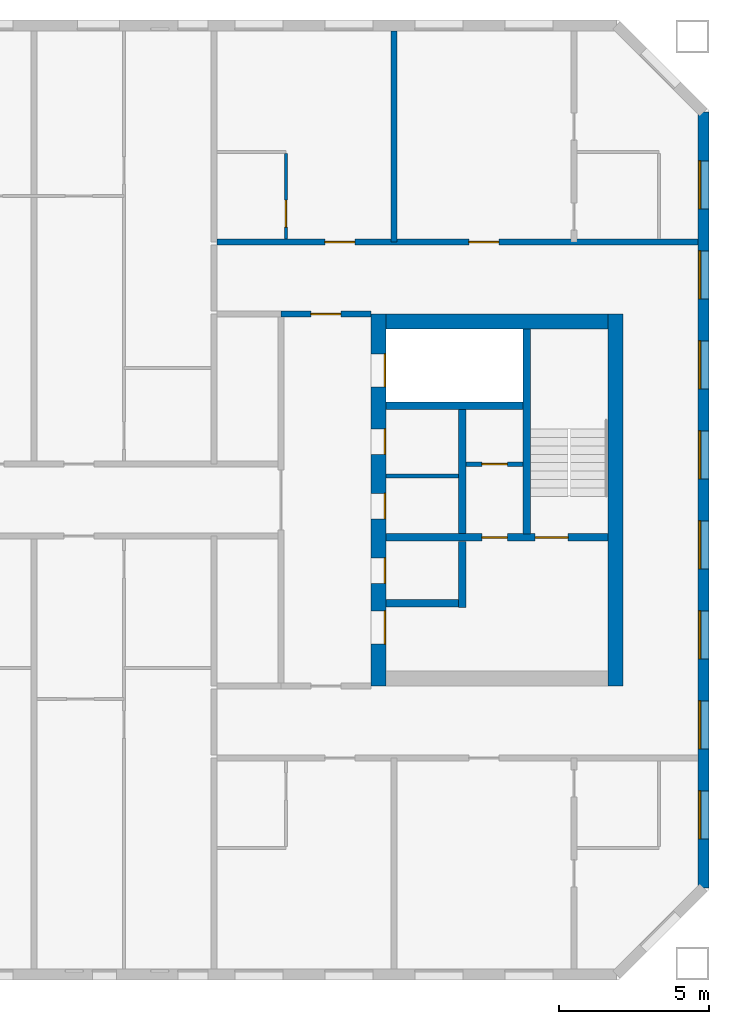
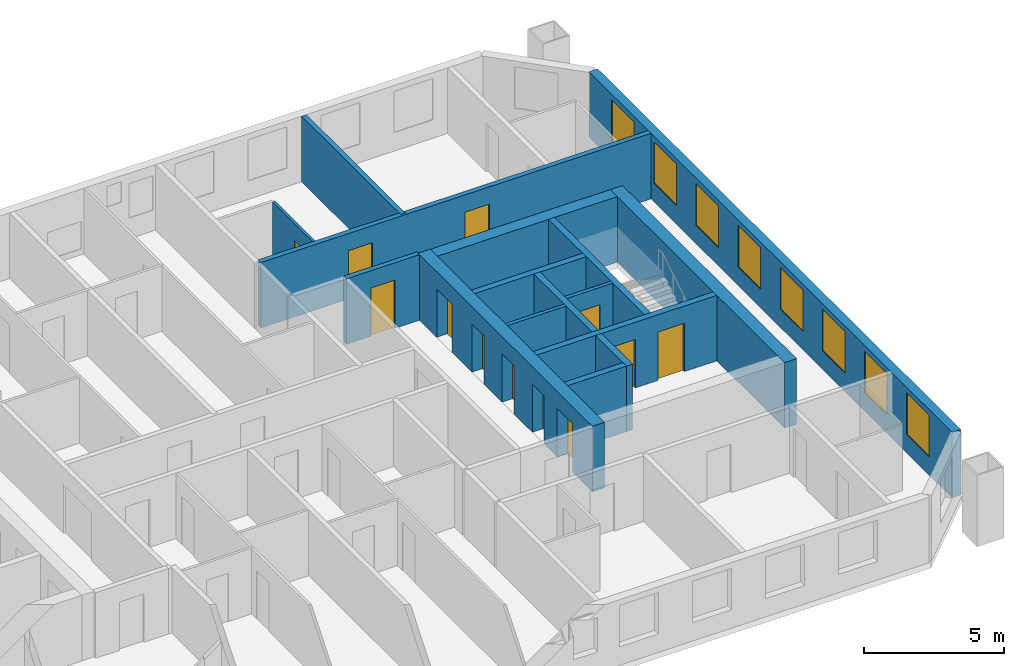
# One storey, part 12 of 15: 16 walls, 12 doors, 8 windows, 20 openings.
"""IFC4 building model written with IfcOpenShell, lengths in metres."""

from ifc_helpers import new_model, si_unit, direction, frame, frame_2d, origin, place, context, subcontext, project, spatial, rectangle, extrude, material, layer, layer_set, type_object, element, fill, save


model = new_model("IFC4")

# Units and contexts
model_context = context("Model", 3, precision=1e-05, world=origin(), true_north=direction((0.0, 1.0)))
body_context = subcontext(model_context, "Body", "Model", "MODEL_VIEW")
ifc_project = project(units=[si_unit("LENGTHUNIT", "METRE"), si_unit("AREAUNIT", "SQUARE_METRE"), si_unit("VOLUMEUNIT", "CUBIC_METRE"), si_unit("PLANEANGLEUNIT", "RADIAN"), si_unit("MASSUNIT", "GRAM", prefix="KILO")], contexts=[model_context])

# Site, building, storey
site_placement = place(None, origin())
site = spatial("IfcSite", under=ifc_project, at=site_placement, CompositionType="ELEMENT")
building_placement = place(site_placement, origin())
building = spatial("IfcBuilding", under=site, at=building_placement, Name="Tuart Gate Housing", CompositionType="ELEMENT")
storey_placement = place(building_placement, frame((0.0, 0.0, 164.0)))
storey = spatial("IfcBuildingStorey", under=building, at=storey_placement, Name="L46", CompositionType="ELEMENT", Elevation=164.0)

# Wall, openings, windows
ifc_material_1 = material(Name="Brick", Category="masonry")
ifc_layer_1 = layer(ifc_material_1, 0.360107421875)
ifc_layer_set_1 = layer_set([ifc_layer_1], Name="Brick pier and spandrel wall 360")
wall_type_1 = type_object("IfcWallType", Name="Brick pier and spandrel wall 360", PredefinedType="STANDARD", material=ifc_layer_set_1)
wall_1_placement = place(storey_placement, frame((171.320068359375, 57.07470703125, 0.0), z_axis=(0.0, 0.0, 1.0), x_axis=(0.0, 1.0, 0.0)))
wall_1 = element("IfcWall", 1, at=wall_1_placement, inside=storey, type_object=wall_type_1, Name="External wall B-E L46", PredefinedType="STANDARD", context=body_context, shape_type="SweptSolid", body=[
    extrude(rectangle(XDim=25.850830078125, YDim=0.360107421875, at=frame_2d((12.92529296875, 0.0))), origin(), (0.0, 0.0, 1.0), 2.85009765625),
])
opening_1_placement = place(wall_1_placement, frame((1.62548828125, 0.0, 0.800048828125)))
opening_1 = element("IfcOpeningElement", 2, at=opening_1_placement, cuts=wall_1, Name="Opening W1", PredefinedType="OPENING", context=body_context, shape_type="SweptSolid", body=[
    extrude(rectangle(XDim=1.60009765625, YDim=1.800048828125, at=frame_2d((0.800048828125, 0.89990234375))), frame((0.0, 0.18994140625, 0.0), z_axis=(0.0, -1.0, 0.0), x_axis=(1.0, 0.0, 0.0)), (0.0, 0.0, 1.0), 0.380126953125),
])
opening_2_placement = place(wall_1_placement, frame((4.62548828125, 0.0, 0.800048828125)))
opening_2 = element("IfcOpeningElement", 3, at=opening_2_placement, cuts=wall_1, Name="Opening W1", PredefinedType="OPENING", context=body_context, shape_type="SweptSolid", body=[
    extrude(rectangle(XDim=1.60009765625, YDim=1.800048828125, at=frame_2d((0.800048828125, 0.89990234375))), frame((0.0, 0.18994140625, 0.0), z_axis=(0.0, -1.0, 0.0), x_axis=(1.0, 0.0, 0.0)), (0.0, 0.0, 1.0), 0.380126953125),
])
opening_3_placement = place(wall_1_placement, frame((7.62548828125, 0.0, 0.800048828125)))
opening_3 = element("IfcOpeningElement", 4, at=opening_3_placement, cuts=wall_1, Name="Opening W1", PredefinedType="OPENING", context=body_context, shape_type="SweptSolid", body=[
    extrude(rectangle(XDim=1.60009765625, YDim=1.800048828125, at=frame_2d((0.800048828125, 0.89990234375))), frame((0.0, 0.18994140625, 0.0), z_axis=(0.0, -1.0, 0.0), x_axis=(1.0, 0.0, 0.0)), (0.0, 0.0, 1.0), 0.380126953125),
])
opening_4_placement = place(wall_1_placement, frame((10.62548828125, 0.0, 0.800048828125)))
opening_4 = element("IfcOpeningElement", 5, at=opening_4_placement, cuts=wall_1, Name="Opening W1", PredefinedType="OPENING", context=body_context, shape_type="SweptSolid", body=[
    extrude(rectangle(XDim=1.60009765625, YDim=1.800048828125, at=frame_2d((0.800048828125, 0.89990234375))), frame((0.0, 0.18994140625, 0.0), z_axis=(0.0, -1.0, 0.0), x_axis=(1.0, 0.0, 0.0)), (0.0, 0.0, 1.0), 0.380126953125),
])
opening_5_placement = place(wall_1_placement, frame((13.62548828125, 0.0, 0.800048828125)))
opening_5 = element("IfcOpeningElement", 6, at=opening_5_placement, cuts=wall_1, Name="Opening W1", PredefinedType="OPENING", context=body_context, shape_type="SweptSolid", body=[
    extrude(rectangle(XDim=1.60009765625, YDim=1.800048828125, at=frame_2d((0.800048828125, 0.89990234375))), frame((0.0, 0.18994140625, 0.0), z_axis=(0.0, -1.0, 0.0), x_axis=(1.0, 0.0, 0.0)), (0.0, 0.0, 1.0), 0.380126953125),
])
opening_6_placement = place(wall_1_placement, frame((16.62548828125, 0.0, 0.800048828125)))
opening_6 = element("IfcOpeningElement", 7, at=opening_6_placement, cuts=wall_1, Name="Opening W1", PredefinedType="OPENING", context=body_context, shape_type="SweptSolid", body=[
    extrude(rectangle(XDim=1.60009765625, YDim=1.800048828125, at=frame_2d((0.800048828125, 0.89990234375))), frame((0.0, 0.18994140625, 0.0), z_axis=(0.0, -1.0, 0.0), x_axis=(1.0, 0.0, 0.0)), (0.0, 0.0, 1.0), 0.380126953125),
])
opening_7_placement = place(wall_1_placement, frame((19.62548828125, 0.0, 0.800048828125)))
opening_7 = element("IfcOpeningElement", 8, at=opening_7_placement, cuts=wall_1, Name="Opening W1", PredefinedType="OPENING", context=body_context, shape_type="SweptSolid", body=[
    extrude(rectangle(XDim=1.60009765625, YDim=1.800048828125, at=frame_2d((0.800048828125, 0.89990234375))), frame((0.0, 0.18994140625, 0.0), z_axis=(0.0, -1.0, 0.0), x_axis=(1.0, 0.0, 0.0)), (0.0, 0.0, 1.0), 0.380126953125),
])
opening_8_placement = place(wall_1_placement, frame((22.62548828125, 0.0, 0.800048828125)))
opening_8 = element("IfcOpeningElement", 9, at=opening_8_placement, cuts=wall_1, Name="Opening W1", PredefinedType="OPENING", context=body_context, shape_type="SweptSolid", body=[
    extrude(rectangle(XDim=1.60009765625, YDim=1.800048828125, at=frame_2d((0.800048828125, 0.89990234375))), frame((0.0, 0.18994140625, 0.0), z_axis=(0.0, -1.0, 0.0), x_axis=(1.0, 0.0, 0.0)), (0.0, 0.0, 1.0), 0.380126953125),
])
ifc_material_2 = material(Name="Aluminium frame with clear glass", Category="aluminium")
window_type = type_object("IfcWindowType", Name="Punched window 1600 x 1800", PartitioningType="SINGLE_PANEL", PredefinedType="WINDOW", material=ifc_material_2)
window_1_placement = place(opening_1_placement, origin())
window_1 = element("IfcWindow", 10, at=window_1_placement, inside=storey, type_object=window_type, Name="Window W1", OverallHeight=1.800048828125, OverallWidth=1.60009765625, PartitioningType="SINGLE_PANEL", PredefinedType="WINDOW", context=body_context, shape_type="SweptSolid", body=[
    extrude(rectangle(XDim=1.60009765625, YDim=1.800048828125, at=frame_2d((0.800048828125, 0.89990234375))), frame((0.0, 0.150146484375, 0.0), z_axis=(0.0, -1.0, 0.0), x_axis=(1.0, 0.0, 0.0)), (0.0, 0.0, 1.0), 0.06005859375),
])
fill(opening_1, window_1)
window_2_placement = place(opening_2_placement, origin())
window_2 = element("IfcWindow", 11, at=window_2_placement, inside=storey, type_object=window_type, Name="Window W1", OverallHeight=1.800048828125, OverallWidth=1.60009765625, PartitioningType="SINGLE_PANEL", PredefinedType="WINDOW", context=body_context, shape_type="SweptSolid", body=[
    extrude(rectangle(XDim=1.60009765625, YDim=1.800048828125, at=frame_2d((0.800048828125, 0.89990234375))), frame((0.0, 0.150146484375, 0.0), z_axis=(0.0, -1.0, 0.0), x_axis=(1.0, 0.0, 0.0)), (0.0, 0.0, 1.0), 0.06005859375),
])
fill(opening_2, window_2)
window_3_placement = place(opening_3_placement, origin())
window_3 = element("IfcWindow", 12, at=window_3_placement, inside=storey, type_object=window_type, Name="Window W1", OverallHeight=1.800048828125, OverallWidth=1.60009765625, PartitioningType="SINGLE_PANEL", PredefinedType="WINDOW", context=body_context, shape_type="SweptSolid", body=[
    extrude(rectangle(XDim=1.60009765625, YDim=1.800048828125, at=frame_2d((0.800048828125, 0.89990234375))), frame((0.0, 0.150146484375, 0.0), z_axis=(0.0, -1.0, 0.0), x_axis=(1.0, 0.0, 0.0)), (0.0, 0.0, 1.0), 0.06005859375),
])
fill(opening_3, window_3)
window_4_placement = place(opening_4_placement, origin())
window_4 = element("IfcWindow", 13, at=window_4_placement, inside=storey, type_object=window_type, Name="Window W1", OverallHeight=1.800048828125, OverallWidth=1.60009765625, PartitioningType="SINGLE_PANEL", PredefinedType="WINDOW", context=body_context, shape_type="SweptSolid", body=[
    extrude(rectangle(XDim=1.60009765625, YDim=1.800048828125, at=frame_2d((0.800048828125, 0.89990234375))), frame((0.0, 0.150146484375, 0.0), z_axis=(0.0, -1.0, 0.0), x_axis=(1.0, 0.0, 0.0)), (0.0, 0.0, 1.0), 0.06005859375),
])
fill(opening_4, window_4)
window_5_placement = place(opening_5_placement, origin())
window_5 = element("IfcWindow", 14, at=window_5_placement, inside=storey, type_object=window_type, Name="Window W1", OverallHeight=1.800048828125, OverallWidth=1.60009765625, PartitioningType="SINGLE_PANEL", PredefinedType="WINDOW", context=body_context, shape_type="SweptSolid", body=[
    extrude(rectangle(XDim=1.60009765625, YDim=1.800048828125, at=frame_2d((0.800048828125, 0.89990234375))), frame((0.0, 0.150146484375, 0.0), z_axis=(0.0, -1.0, 0.0), x_axis=(1.0, 0.0, 0.0)), (0.0, 0.0, 1.0), 0.06005859375),
])
fill(opening_5, window_5)
window_6_placement = place(opening_6_placement, origin())
window_6 = element("IfcWindow", 15, at=window_6_placement, inside=storey, type_object=window_type, Name="Window W1", OverallHeight=1.800048828125, OverallWidth=1.60009765625, PartitioningType="SINGLE_PANEL", PredefinedType="WINDOW", context=body_context, shape_type="SweptSolid", body=[
    extrude(rectangle(XDim=1.60009765625, YDim=1.800048828125, at=frame_2d((0.800048828125, 0.89990234375))), frame((0.0, 0.150146484375, 0.0), z_axis=(0.0, -1.0, 0.0), x_axis=(1.0, 0.0, 0.0)), (0.0, 0.0, 1.0), 0.06005859375),
])
fill(opening_6, window_6)
window_7_placement = place(opening_7_placement, origin())
window_7 = element("IfcWindow", 16, at=window_7_placement, inside=storey, type_object=window_type, Name="Window W1", OverallHeight=1.800048828125, OverallWidth=1.60009765625, PartitioningType="SINGLE_PANEL", PredefinedType="WINDOW", context=body_context, shape_type="SweptSolid", body=[
    extrude(rectangle(XDim=1.60009765625, YDim=1.800048828125, at=frame_2d((0.800048828125, 0.89990234375))), frame((0.0, 0.150146484375, 0.0), z_axis=(0.0, -1.0, 0.0), x_axis=(1.0, 0.0, 0.0)), (0.0, 0.0, 1.0), 0.06005859375),
])
fill(opening_7, window_7)
window_8_placement = place(opening_8_placement, origin())
window_8 = element("IfcWindow", 17, at=window_8_placement, inside=storey, type_object=window_type, Name="Window W1", OverallHeight=1.800048828125, OverallWidth=1.60009765625, PartitioningType="SINGLE_PANEL", PredefinedType="WINDOW", context=body_context, shape_type="SweptSolid", body=[
    extrude(rectangle(XDim=1.60009765625, YDim=1.800048828125, at=frame_2d((0.800048828125, 0.89990234375))), frame((0.0, 0.150146484375, 0.0), z_axis=(0.0, -1.0, 0.0), x_axis=(1.0, 0.0, 0.0)), (0.0, 0.0, 1.0), 0.06005859375),
])
fill(opening_8, window_8)

# Wall, opening, door
ifc_material_3 = material(Name="Plasterboard partition")
ifc_layer_2 = layer(ifc_material_3, 0.14990234375)
ifc_layer_set_2 = layer_set([ifc_layer_2], Name="Core partition 150")
wall_type_2 = type_object("IfcWallType", Name="Core partition 150", PredefinedType="PARTITIONING", material=ifc_layer_set_2)
wall_2_placement = place(storey_placement, frame((163.4150390625, 71.199951171875, 0.0), z_axis=(0.0, 0.0, 1.0), x_axis=(1.0, 0.0, 0.0)))
wall_2 = element("IfcWall", 18, at=wall_2_placement, inside=storey, type_object=wall_type_2, Name="Core partition BK.2", PredefinedType="PARTITIONING", context=body_context, shape_type="SweptSolid", body=[
    extrude(rectangle(XDim=1.89990234375, YDim=0.14990234375, at=frame_2d((0.949951171875, 0.0))), origin(), (0.0, 0.0, 1.0), 2.85009765625),
])
opening_9_placement = place(wall_2_placement, frame((0.52490234375, 0.0, 0.0)))
opening_9 = element("IfcOpeningElement", 19, at=opening_9_placement, cuts=wall_2, Name="Opening D1703", PredefinedType="OPENING", context=body_context, shape_type="SweptSolid", body=[
    extrude(rectangle(XDim=0.85009765625, YDim=2.10009765625, at=frame_2d((0.425048828125, 1.050048828125))), frame((0.0, 0.0849609375, 0.0), z_axis=(0.0, -1.0, 0.0), x_axis=(1.0, 0.0, 0.0)), (0.0, 0.0, 1.0), 0.169921875),
])
ifc_material_4 = material(Name="Steel fire door", Category="steel")
door_type_1 = type_object("IfcDoorType", Name="Service door 850 x 2100 RH", OperationType="SINGLE_SWING_RIGHT", PredefinedType="DOOR", material=ifc_material_4)
door_1_placement = place(opening_9_placement, frame((0.85009765625, 0.0, 0.0), z_axis=(0.0, 0.0, 1.0), x_axis=(-1.0, 0.0, 0.0)))
door_1 = element("IfcDoor", 20, at=door_1_placement, inside=storey, type_object=door_type_1, Name="Service room door BK.W2", OperationType="SINGLE_SWING_RIGHT", OverallHeight=2.10009765625, OverallWidth=0.85009765625, PredefinedType="DOOR", context=body_context, shape_type="SweptSolid", body=[
    extrude(rectangle(XDim=0.85009765625, YDim=2.10009765625, at=frame_2d((0.425048828125, 1.050048828125))), frame((0.0, 0.025146484375, 0.0), z_axis=(0.0, -1.0, 0.0), x_axis=(1.0, 0.0, 0.0)), (0.0, 0.0, 1.0), 0.050048828125),
])
fill(opening_9, door_1)

# Walls
wall_3_placement = place(storey_placement, frame((160.739990234375, 70.800048828125, 0.0), z_axis=(0.0, 0.0, 1.0), x_axis=(1.0, 0.0, 0.0)))
element("IfcWall", 21, at=wall_3_placement, inside=storey, type_object=wall_type_2, Name="Core partition BK.3", PredefinedType="PARTITIONING", context=body_context, shape_type="SweptSolid", body=[
    extrude(rectangle(XDim=2.425048828125, YDim=0.14990234375, at=frame_2d((1.21240234375, 0.0))), origin(), (0.0, 0.0, 1.0), 2.85009765625),
])
ifc_material_5 = material(Name="Concrete C40", Category="concrete")
ifc_layer_3 = layer(ifc_material_5, 0.25)
ifc_layer_set_3 = layer_set([ifc_layer_3], Name="Core wall 250 C40")
wall_type_3 = type_object("IfcWallType", Name="Core wall 250 C40", PredefinedType="SHEAR", material=ifc_layer_set_3)
wall_4_placement = place(storey_placement, frame((160.739990234375, 73.14990234375, 0.0), z_axis=(0.0, 0.0, 1.0), x_axis=(1.0, 0.0, 0.0)))
element("IfcWall", 22, at=wall_4_placement, inside=storey, type_object=wall_type_3, Name="Core wall BK.1", PredefinedType="SHEAR", context=body_context, shape_type="SweptSolid", body=[
    extrude(rectangle(XDim=4.574951171875, YDim=0.25, at=frame_2d((2.28759765625, 0.0))), origin(), (0.0, 0.0, 1.0), 2.85009765625),
])

# Wall, openings, doors
wall_5_placement = place(storey_placement, frame((160.739990234375, 68.75, 0.0), z_axis=(0.0, 0.0, 1.0), x_axis=(1.0, 0.0, 0.0)))
wall_5 = element("IfcWall", 23, at=wall_5_placement, inside=storey, type_object=wall_type_3, Name="Core wall BK.4", PredefinedType="SHEAR", context=body_context, shape_type="SweptSolid", body=[
    extrude(rectangle(XDim=7.39990234375, YDim=0.25, at=frame_2d((3.699951171875, 0.0))), origin(), (0.0, 0.0, 1.0), 2.85009765625),
])
opening_10_placement = place(wall_5_placement, frame((4.97509765625, 0.0, 0.0)))
opening_10 = element("IfcOpeningElement", 24, at=opening_10_placement, cuts=wall_5, Name="Opening D1715", PredefinedType="OPENING", context=body_context, shape_type="SweptSolid", body=[
    extrude(rectangle(XDim=1.10009765625, YDim=2.10009765625, at=frame_2d((0.550048828125, 1.050048828125))), frame((0.0, 0.135009765625, 0.0), z_axis=(0.0, -1.0, 0.0), x_axis=(1.0, 0.0, 0.0)), (0.0, 0.0, 1.0), 0.27001953125),
])
opening_11_placement = place(wall_5_placement, frame((3.199951171875, 0.0, 0.0)))
opening_11 = element("IfcOpeningElement", 25, at=opening_11_placement, cuts=wall_5, Name="Opening D1714", PredefinedType="OPENING", context=body_context, shape_type="SweptSolid", body=[
    extrude(rectangle(XDim=0.85009765625, YDim=2.10009765625, at=frame_2d((0.425048828125, 1.050048828125))), frame((0.0, 0.135009765625, 0.0), z_axis=(0.0, -1.0, 0.0), x_axis=(1.0, 0.0, 0.0)), (0.0, 0.0, 1.0), 0.27001953125),
])
ifc_material_6 = material(Name="Steel fire door", Category="steel")
door_type_2 = type_object("IfcDoorType", Name="Riser door 850 x 2100", OperationType="SINGLE_SWING_LEFT", PredefinedType="DOOR", material=ifc_material_6)
door_2_placement = place(opening_11_placement, origin())
door_2 = element("IfcDoor", 26, at=door_2_placement, inside=storey, type_object=door_type_2, Name="Service room door BK.W1", OperationType="SINGLE_SWING_LEFT", OverallHeight=2.10009765625, OverallWidth=0.85009765625, PredefinedType="DOOR", context=body_context, shape_type="SweptSolid", body=[
    extrude(rectangle(XDim=0.85009765625, YDim=2.10009765625, at=frame_2d((0.425048828125, 1.050048828125))), frame((0.0, 0.02490234375, 0.0), z_axis=(0.0, -1.0, 0.0), x_axis=(1.0, 0.0, 0.0)), (0.0, 0.0, 1.0), 0.050048828125),
])
fill(opening_11, door_2)
ifc_material_7 = material(Name="Steel fire door", Category="steel")
door_type_3 = type_object("IfcDoorType", Name="Stair door 1100 x 2100", OperationType="SINGLE_SWING_LEFT", PredefinedType="DOOR", material=ifc_material_7)
door_3_placement = place(opening_10_placement, origin())
door_3 = element("IfcDoor", 27, at=door_3_placement, inside=storey, type_object=door_type_3, Name="Stair door BK.SD", OperationType="SINGLE_SWING_LEFT", OverallHeight=2.10009765625, OverallWidth=1.10009765625, PredefinedType="DOOR", context=body_context, shape_type="SweptSolid", body=[
    extrude(rectangle(XDim=1.10009765625, YDim=2.10009765625, at=frame_2d((0.550048828125, 1.050048828125))), frame((0.0, 0.02490234375, 0.0), z_axis=(0.0, -1.0, 0.0), x_axis=(1.0, 0.0, 0.0)), (0.0, 0.0, 1.0), 0.050048828125),
])
fill(opening_10, door_3)

# Walls
wall_6_placement = place(storey_placement, frame((160.739990234375, 66.550048828125, 0.0), z_axis=(0.0, 0.0, 1.0), x_axis=(1.0, 0.0, 0.0)))
element("IfcWall", 28, at=wall_6_placement, inside=storey, type_object=wall_type_3, Name="Core wall BK.5", PredefinedType="SHEAR", context=body_context, shape_type="SweptSolid", body=[
    extrude(rectangle(XDim=2.425048828125, YDim=0.25, at=frame_2d((1.21240234375, 0.0))), origin(), (0.0, 0.0, 1.0), 2.85009765625),
])
wall_7_placement = place(storey_placement, frame((163.2900390625, 73.02490234375, 0.0), z_axis=(0.0, 0.0, 1.0), x_axis=(0.0, -1.0, 0.0)))
element("IfcWall", 29, at=wall_7_placement, inside=storey, type_object=wall_type_3, Name="Core wall BK.6", PredefinedType="SHEAR", context=body_context, shape_type="SweptSolid", body=[
    extrude(rectangle(XDim=4.14990234375, YDim=0.25, at=frame_2d((2.074951171875, 0.0))), origin(), (0.0, 0.0, 1.0), 2.85009765625),
])
wall_8_placement = place(storey_placement, frame((163.2900390625, 68.625, 0.0), z_axis=(0.0, 0.0, 1.0), x_axis=(0.0, -1.0, 0.0)))
element("IfcWall", 30, at=wall_8_placement, inside=storey, type_object=wall_type_3, Name="Core wall BK.7", PredefinedType="SHEAR", context=body_context, shape_type="SweptSolid", body=[
    extrude(rectangle(XDim=2.199951171875, YDim=0.25, at=frame_2d((1.10009765625, 0.0))), origin(), (0.0, 0.0, 1.0), 2.85009765625),
])
wall_9_placement = place(storey_placement, frame((165.43994140625, 75.699951171875, 0.0), z_axis=(0.0, 0.0, 1.0), x_axis=(0.0, -1.0, 0.0)))
element("IfcWall", 31, at=wall_9_placement, inside=storey, type_object=wall_type_3, Name="Core wall BK.8", PredefinedType="SHEAR", context=body_context, shape_type="SweptSolid", body=[
    extrude(rectangle(XDim=6.824951171875, YDim=0.25, at=frame_2d((3.41259765625, 0.0))), origin(), (0.0, 0.0, 1.0), 2.85009765625),
])

# Wall, openings, doors
ifc_material_8 = material(Name="Concrete C40", Category="concrete")
ifc_layer_4 = layer(ifc_material_8, 0.5)
ifc_layer_set_4 = layer_set([ifc_layer_4], Name="Core wall 500 C40")
wall_type_4 = type_object("IfcWallType", Name="Core wall 500 C40", PredefinedType="SHEAR", material=ifc_layer_set_4)
wall_10_placement = place(storey_placement, frame((160.489990234375, 76.199951171875, 0.0), z_axis=(0.0, 0.0, 1.0), x_axis=(0.0, -1.0, 0.0)))
wall_10 = element("IfcWall", 32, at=wall_10_placement, inside=storey, type_object=wall_type_4, Name="Core wall BK front", PredefinedType="SHEAR", context=body_context, shape_type="SweptSolid", body=[
    extrude(rectangle(XDim=12.39990234375, YDim=0.5, at=frame_2d((6.199951171875, 0.0))), origin(), (0.0, 0.0, 1.0), 2.85009765625),
])
opening_12_placement = place(wall_10_placement, frame((1.324951171875, 0.0, 0.0)))
opening_12 = element("IfcOpeningElement", 33, at=opening_12_placement, cuts=wall_10, Name="Opening LD-FB2", PredefinedType="OPENING", context=body_context, shape_type="SweptSolid", body=[
    extrude(rectangle(XDim=1.10009765625, YDim=2.10009765625, at=frame_2d((0.550048828125, 1.050048828125))), frame((0.0, 0.260009765625, 0.0), z_axis=(0.0, -1.0, 0.0), x_axis=(1.0, 0.0, 0.0)), (0.0, 0.0, 1.0), 0.52001953125),
])
opening_13_placement = place(wall_10_placement, frame((3.824951171875, 0.0, 0.0)))
opening_13 = element("IfcOpeningElement", 34, at=opening_13_placement, cuts=wall_10, Name="Opening D1709", PredefinedType="OPENING", context=body_context, shape_type="SweptSolid", body=[
    extrude(rectangle(XDim=0.85009765625, YDim=2.10009765625, at=frame_2d((0.425048828125, 1.050048828125))), frame((0.0, 0.260009765625, 0.0), z_axis=(0.0, -1.0, 0.0), x_axis=(1.0, 0.0, 0.0)), (0.0, 0.0, 1.0), 0.52001953125),
])
opening_14_placement = place(wall_10_placement, frame((5.97509765625, 0.0, 0.0)))
opening_14 = element("IfcOpeningElement", 35, at=opening_14_placement, cuts=wall_10, Name="Opening D1710", PredefinedType="OPENING", context=body_context, shape_type="SweptSolid", body=[
    extrude(rectangle(XDim=0.85009765625, YDim=2.10009765625, at=frame_2d((0.425048828125, 1.050048828125))), frame((0.0, 0.260009765625, 0.0), z_axis=(0.0, -1.0, 0.0), x_axis=(1.0, 0.0, 0.0)), (0.0, 0.0, 1.0), 0.52001953125),
])
opening_15_placement = place(wall_10_placement, frame((9.89990234375, 0.0, 0.0)))
opening_15 = element("IfcOpeningElement", 36, at=opening_15_placement, cuts=wall_10, Name="Opening D1708", PredefinedType="OPENING", context=body_context, shape_type="SweptSolid", body=[
    extrude(rectangle(XDim=1.10009765625, YDim=2.10009765625, at=frame_2d((0.550048828125, 1.050048828125))), frame((0.0, 0.260009765625, 0.0), z_axis=(0.0, -1.0, 0.0), x_axis=(1.0, 0.0, 0.0)), (0.0, 0.0, 1.0), 0.52001953125),
])
opening_16_placement = place(wall_10_placement, frame((8.125, 0.0, 0.0)))
opening_16 = element("IfcOpeningElement", 37, at=opening_16_placement, cuts=wall_10, Name="Opening D1711", PredefinedType="OPENING", context=body_context, shape_type="SweptSolid", body=[
    extrude(rectangle(XDim=0.85009765625, YDim=2.10009765625, at=frame_2d((0.425048828125, 1.050048828125))), frame((0.0, 0.260009765625, 0.0), z_axis=(0.0, -1.0, 0.0), x_axis=(1.0, 0.0, 0.0)), (0.0, 0.0, 1.0), 0.52001953125),
])
ifc_material_9 = material(Name="Stainless steel", Category="steel")
door_type_4 = type_object("IfcDoorType", Name="Landing door 1100 x 2100", OperationType="DOUBLE_DOOR_SLIDING", PredefinedType="DOOR", material=ifc_material_9)
door_4_placement = place(opening_12_placement, origin())
door_4 = element("IfcDoor", 38, at=door_4_placement, inside=storey, type_object=door_type_4, Name="Lift landing door FB2", OperationType="DOUBLE_DOOR_SLIDING", OverallHeight=2.10009765625, OverallWidth=1.10009765625, PredefinedType="DOOR", context=body_context, shape_type="SweptSolid", body=[
    extrude(rectangle(XDim=1.10009765625, YDim=2.10009765625, at=frame_2d((0.550048828125, 1.050048828125))), frame((0.0, 0.23486328125, 0.0), z_axis=(0.0, -1.0, 0.0), x_axis=(1.0, 0.0, 0.0)), (0.0, 0.0, 1.0), 0.050048828125),
])
fill(opening_12, door_4)
ifc_material_10 = material(Name="Steel fire door", Category="steel")
door_type_5 = type_object("IfcDoorType", Name="Lobby door 1100 x 2100", OperationType="SINGLE_SWING_LEFT", PredefinedType="DOOR", material=ifc_material_10)
door_5_placement = place(opening_15_placement, origin())
door_5 = element("IfcDoor", 39, at=door_5_placement, inside=storey, type_object=door_type_5, Name="Lobby entry door BK.EN", OperationType="SINGLE_SWING_LEFT", OverallHeight=2.10009765625, OverallWidth=1.10009765625, PredefinedType="DOOR", context=body_context, shape_type="SweptSolid", body=[
    extrude(rectangle(XDim=1.10009765625, YDim=2.10009765625, at=frame_2d((0.550048828125, 1.050048828125))), frame((0.0, 0.23486328125, 0.0), z_axis=(0.0, -1.0, 0.0), x_axis=(1.0, 0.0, 0.0)), (0.0, 0.0, 1.0), 0.050048828125),
])
fill(opening_15, door_5)
ifc_material_11 = material(Name="Steel fire door", Category="steel")
door_type_6 = type_object("IfcDoorType", Name="Service door 850 x 2100", OperationType="SINGLE_SWING_LEFT", PredefinedType="DOOR", material=ifc_material_11)
door_6_placement = place(opening_13_placement, origin())
door_6 = element("IfcDoor", 40, at=door_6_placement, inside=storey, type_object=door_type_6, Name="Service room door BK.FR1", OperationType="SINGLE_SWING_LEFT", OverallHeight=2.10009765625, OverallWidth=0.85009765625, PredefinedType="DOOR", context=body_context, shape_type="SweptSolid", body=[
    extrude(rectangle(XDim=0.85009765625, YDim=2.10009765625, at=frame_2d((0.425048828125, 1.050048828125))), frame((0.0, 0.23486328125, 0.0), z_axis=(0.0, -1.0, 0.0), x_axis=(1.0, 0.0, 0.0)), (0.0, 0.0, 1.0), 0.050048828125),
])
fill(opening_13, door_6)
door_7_placement = place(opening_14_placement, origin())
door_7 = element("IfcDoor", 41, at=door_7_placement, inside=storey, type_object=door_type_6, Name="Service room door BK.FR2", OperationType="SINGLE_SWING_LEFT", OverallHeight=2.10009765625, OverallWidth=0.85009765625, PredefinedType="DOOR", context=body_context, shape_type="SweptSolid", body=[
    extrude(rectangle(XDim=0.85009765625, YDim=2.10009765625, at=frame_2d((0.425048828125, 1.050048828125))), frame((0.0, 0.23486328125, 0.0), z_axis=(0.0, -1.0, 0.0), x_axis=(1.0, 0.0, 0.0)), (0.0, 0.0, 1.0), 0.050048828125),
])
fill(opening_14, door_7)
door_8_placement = place(opening_16_placement, origin())
door_8 = element("IfcDoor", 42, at=door_8_placement, inside=storey, type_object=door_type_6, Name="Service room door BK.T1", OperationType="SINGLE_SWING_LEFT", OverallHeight=2.10009765625, OverallWidth=0.85009765625, PredefinedType="DOOR", context=body_context, shape_type="SweptSolid", body=[
    extrude(rectangle(XDim=0.85009765625, YDim=2.10009765625, at=frame_2d((0.425048828125, 1.050048828125))), frame((0.0, 0.23486328125, 0.0), z_axis=(0.0, -1.0, 0.0), x_axis=(1.0, 0.0, 0.0)), (0.0, 0.0, 1.0), 0.050048828125),
])
fill(opening_16, door_8)

# Walls
wall_11_placement = place(storey_placement, frame((168.389892578125, 76.199951171875, 0.0), z_axis=(0.0, 0.0, 1.0), x_axis=(0.0, -1.0, 0.0)))
element("IfcWall", 43, at=wall_11_placement, inside=storey, type_object=wall_type_4, Name="Core wall BK back", PredefinedType="SHEAR", context=body_context, shape_type="SweptSolid", body=[
    extrude(rectangle(XDim=12.39990234375, YDim=0.5, at=frame_2d((6.199951171875, 0.0))), origin(), (0.0, 0.0, 1.0), 2.85009765625),
])
wall_12_placement = place(storey_placement, frame((160.739990234375, 75.949951171875, 0.0), z_axis=(0.0, 0.0, 1.0), x_axis=(1.0, 0.0, 0.0)))
element("IfcWall", 44, at=wall_12_placement, inside=storey, type_object=wall_type_4, Name="Core wall BK south", PredefinedType="SHEAR", context=body_context, shape_type="SweptSolid", body=[
    extrude(rectangle(XDim=7.39990234375, YDim=0.5, at=frame_2d((3.699951171875, 0.0))), origin(), (0.0, 0.0, 1.0), 2.85009765625),
])

# Wall, openings, doors
ifc_material_12 = material(Name="Concrete masonry 15 MPa", Category="masonry")
ifc_layer_5 = layer(ifc_material_12, 0.199951171875)
ifc_layer_set_5 = layer_set([ifc_layer_5], Name="Corridor wall masonry 200")
wall_type_5 = type_object("IfcWallType", Name="Corridor wall masonry 200", PredefinedType="PARTITIONING", material=ifc_layer_set_5)
wall_13_placement = place(storey_placement, frame((155.10009765625, 78.60009765625, 0.0), z_axis=(0.0, 0.0, 1.0), x_axis=(1.0, 0.0, 0.0)))
wall_13 = element("IfcWall", 45, at=wall_13_placement, inside=storey, type_object=wall_type_5, Name="Corridor wall masonry 200", PredefinedType="PARTITIONING", context=body_context, shape_type="SweptSolid", body=[
    extrude(rectangle(XDim=16.039794921875, YDim=0.199951171875, at=frame_2d((8.02001953125, 0.0))), origin(), (0.0, 0.0, 1.0), 2.85009765625),
])
opening_17_placement = place(wall_13_placement, frame((3.60009765625, 0.0, 0.0)))
opening_17 = element("IfcOpeningElement", 46, at=opening_17_placement, cuts=wall_13, Name="Opening D1690", PredefinedType="OPENING", context=body_context, shape_type="SweptSolid", body=[
    extrude(rectangle(XDim=1.0, YDim=2.10009765625, at=frame_2d((0.5, 1.050048828125))), frame((0.0, 0.10986328125, 0.0), z_axis=(0.0, -1.0, 0.0), x_axis=(1.0, 0.0, 0.0)), (0.0, 0.0, 1.0), 0.219970703125),
])
opening_18_placement = place(wall_13_placement, frame((8.39990234375, 0.0, 0.0)))
opening_18 = element("IfcOpeningElement", 47, at=opening_18_placement, cuts=wall_13, Name="Opening D1691", PredefinedType="OPENING", context=body_context, shape_type="SweptSolid", body=[
    extrude(rectangle(XDim=1.0, YDim=2.10009765625, at=frame_2d((0.5, 1.050048828125))), frame((0.0, 0.10986328125, 0.0), z_axis=(0.0, -1.0, 0.0), x_axis=(1.0, 0.0, 0.0)), (0.0, 0.0, 1.0), 0.219970703125),
])
ifc_material_13 = material(Name="Timber door leaf in steel frame", Category="steel")
door_type_7 = type_object("IfcDoorType", Name="Flat entrance door 1000", OperationType="SINGLE_SWING_LEFT", PredefinedType="DOOR", material=ifc_material_13)
door_9_placement = place(opening_17_placement, origin())
door_9 = element("IfcDoor", 48, at=door_9_placement, inside=storey, type_object=door_type_7, Name="Flat entrance door", OperationType="SINGLE_SWING_LEFT", OverallHeight=2.10009765625, OverallWidth=1.0, PredefinedType="DOOR", context=body_context, shape_type="SweptSolid", body=[
    extrude(rectangle(XDim=1.0, YDim=2.10009765625, at=frame_2d((0.5, 1.050048828125))), frame((0.0, 0.02490234375, 0.0), z_axis=(0.0, -1.0, 0.0), x_axis=(1.0, 0.0, 0.0)), (0.0, 0.0, 1.0), 0.050048828125),
])
fill(opening_17, door_9)
door_10_placement = place(opening_18_placement, origin())
door_10 = element("IfcDoor", 49, at=door_10_placement, inside=storey, type_object=door_type_7, Name="Flat entrance door", OperationType="SINGLE_SWING_LEFT", OverallHeight=2.10009765625, OverallWidth=1.0, PredefinedType="DOOR", context=body_context, shape_type="SweptSolid", body=[
    extrude(rectangle(XDim=1.0, YDim=2.10009765625, at=frame_2d((0.5, 1.050048828125))), frame((0.0, 0.02490234375, 0.0), z_axis=(0.0, -1.0, 0.0), x_axis=(1.0, 0.0, 0.0)), (0.0, 0.0, 1.0), 0.050048828125),
])
fill(opening_18, door_10)

# Wall, opening, door
ifc_material_14 = material(Name="Concrete masonry 15 MPa", Category="masonry")
ifc_layer_6 = layer(ifc_material_14, 0.199951171875)
ifc_layer_set_6 = layer_set([ifc_layer_6], Name="Enclosure wall masonry 200")
wall_type_6 = type_object("IfcWallType", Name="Enclosure wall masonry 200", PredefinedType="PARTITIONING", material=ifc_layer_set_6)
wall_14_placement = place(storey_placement, frame((157.239990234375, 76.199951171875, 0.0), z_axis=(0.0, 0.0, 1.0), x_axis=(1.0, 0.0, 0.0)))
wall_14 = element("IfcWall", 50, at=wall_14_placement, inside=storey, type_object=wall_type_6, Name="Enclosure wall masonry 200", PredefinedType="PARTITIONING", context=body_context, shape_type="SweptSolid", body=[
    extrude(rectangle(XDim=3.0, YDim=0.199951171875, at=frame_2d((1.5, 0.0))), origin(), (0.0, 0.0, 1.0), 2.85009765625),
])
opening_19_placement = place(wall_14_placement, frame((1.0, 0.0, 0.0)))
opening_19 = element("IfcOpeningElement", 51, at=opening_19_placement, cuts=wall_14, Name="Opening D1697", PredefinedType="OPENING", context=body_context, shape_type="SweptSolid", body=[
    extrude(rectangle(XDim=1.0, YDim=2.10009765625, at=frame_2d((0.5, 1.050048828125))), frame((0.0, 0.10986328125, 0.0), z_axis=(0.0, -1.0, 0.0), x_axis=(1.0, 0.0, 0.0)), (0.0, 0.0, 1.0), 0.219970703125),
])
ifc_material_15 = material(Name="Timber door leaf in steel frame", Category="steel")
door_type_8 = type_object("IfcDoorType", Name="Fire door 1000", OperationType="SINGLE_SWING_LEFT", PredefinedType="DOOR", material=ifc_material_15)
door_11_placement = place(opening_19_placement, origin())
door_11 = element("IfcDoor", 52, at=door_11_placement, inside=storey, type_object=door_type_8, Name="Fire door", OperationType="SINGLE_SWING_LEFT", OverallHeight=2.10009765625, OverallWidth=1.0, PredefinedType="DOOR", context=body_context, shape_type="SweptSolid", body=[
    extrude(rectangle(XDim=1.0, YDim=2.10009765625, at=frame_2d((0.5, 1.050048828125))), frame((0.0, 0.02490234375, 0.0), z_axis=(0.0, -1.0, 0.0), x_axis=(1.0, 0.0, 0.0)), (0.0, 0.0, 1.0), 0.050048828125),
])
fill(opening_19, door_11)

ifc_material_16 = material(Name="Gypsum board on steel studs", Category="steel")
ifc_layer_7 = layer(ifc_material_16, 0.10009765625)
ifc_layer_set_7 = layer_set([ifc_layer_7], Name="Partition 100")
wall_type_7 = type_object("IfcWallType", Name="Partition 100", PredefinedType="PARTITIONING", material=ifc_layer_set_7)
wall_15_placement = place(storey_placement, frame((157.39990234375, 78.699951171875, 0.0), z_axis=(0.0, 0.0, 1.0), x_axis=(0.0, 1.0, 0.0)))
wall_15 = element("IfcWall", 53, at=wall_15_placement, inside=storey, type_object=wall_type_7, Name="Partition 100", PredefinedType="PARTITIONING", context=body_context, shape_type="SweptSolid", body=[
    extrude(rectangle(XDim=2.85009765625, YDim=0.10009765625, at=frame_2d((1.425048828125, 0.0))), origin(), (0.0, 0.0, 1.0), 2.85009765625),
])
opening_20_placement = place(wall_15_placement, frame((0.39990234375, 0.0, 0.0)))
opening_20 = element("IfcOpeningElement", 54, at=opening_20_placement, cuts=wall_15, Name="Opening D1687", PredefinedType="OPENING", context=body_context, shape_type="SweptSolid", body=[
    extrude(rectangle(XDim=0.89990234375, YDim=2.10009765625, at=frame_2d((0.449951171875, 1.050048828125))), frame((0.0, 0.06005859375, 0.0), z_axis=(0.0, -1.0, 0.0), x_axis=(1.0, 0.0, 0.0)), (0.0, 0.0, 1.0), 0.1201171875),
])
ifc_material_17 = material(Name="Timber door leaf in steel frame", Category="steel")
door_type_9 = type_object("IfcDoorType", Name="Bathroom door 900", OperationType="SINGLE_SWING_LEFT", PredefinedType="DOOR", material=ifc_material_17)
door_12_placement = place(opening_20_placement, origin())
door_12 = element("IfcDoor", 55, at=door_12_placement, inside=storey, type_object=door_type_9, Name="Bathroom door", OperationType="SINGLE_SWING_LEFT", OverallHeight=2.10009765625, OverallWidth=0.89990234375, PredefinedType="DOOR", context=body_context, shape_type="SweptSolid", body=[
    extrude(rectangle(XDim=0.89990234375, YDim=2.10009765625, at=frame_2d((0.449951171875, 1.050048828125))), frame((0.0, 0.02490234375, 0.0), z_axis=(0.0, -1.0, 0.0), x_axis=(1.0, 0.0, 0.0)), (0.0, 0.0, 1.0), 0.050048828125),
])
fill(opening_20, door_12)

# Wall
ifc_material_18 = material(Name="Concrete C40", Category="concrete")
ifc_layer_8 = layer(ifc_material_18, 0.199951171875)
ifc_layer_set_8 = layer_set([ifc_layer_8], Name="Party wall concrete C40 200")
wall_type_8 = type_object("IfcWallType", Name="Party wall concrete C40 200", PredefinedType="SOLIDWALL", material=ifc_layer_set_8)
wall_16_placement = place(storey_placement, frame((161.0, 78.60009765625, 0.0), z_axis=(0.0, 0.0, 1.0), x_axis=(0.0, 1.0, 0.0)))
element("IfcWall", 56, at=wall_16_placement, inside=storey, type_object=wall_type_8, Name="Party wall concrete C40 200", PredefinedType="SOLIDWALL", context=body_context, shape_type="SweptSolid", body=[
    extrude(rectangle(XDim=7.039794921875, YDim=0.199951171875, at=frame_2d((3.52001953125, 0.0))), origin(), (0.0, 0.0, 1.0), 2.85009765625),
])

save(model, "model.ifc")
